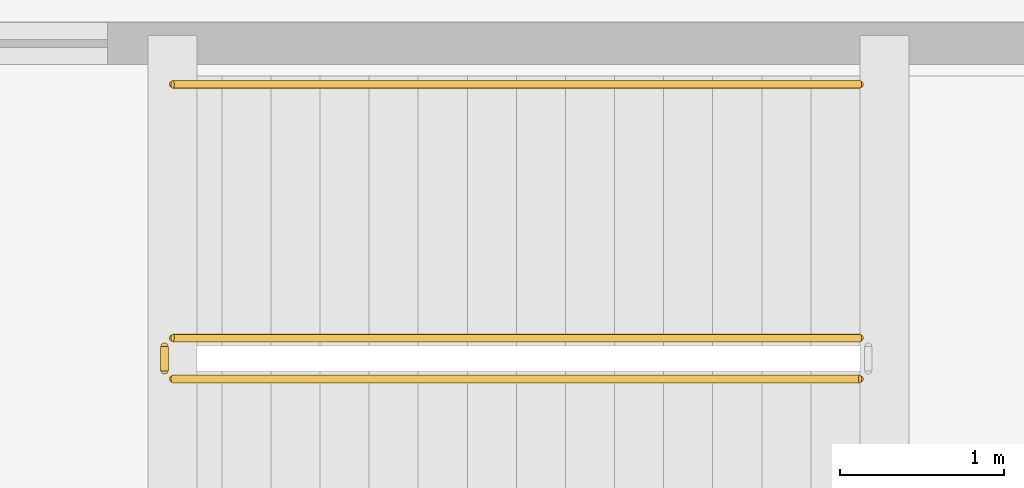
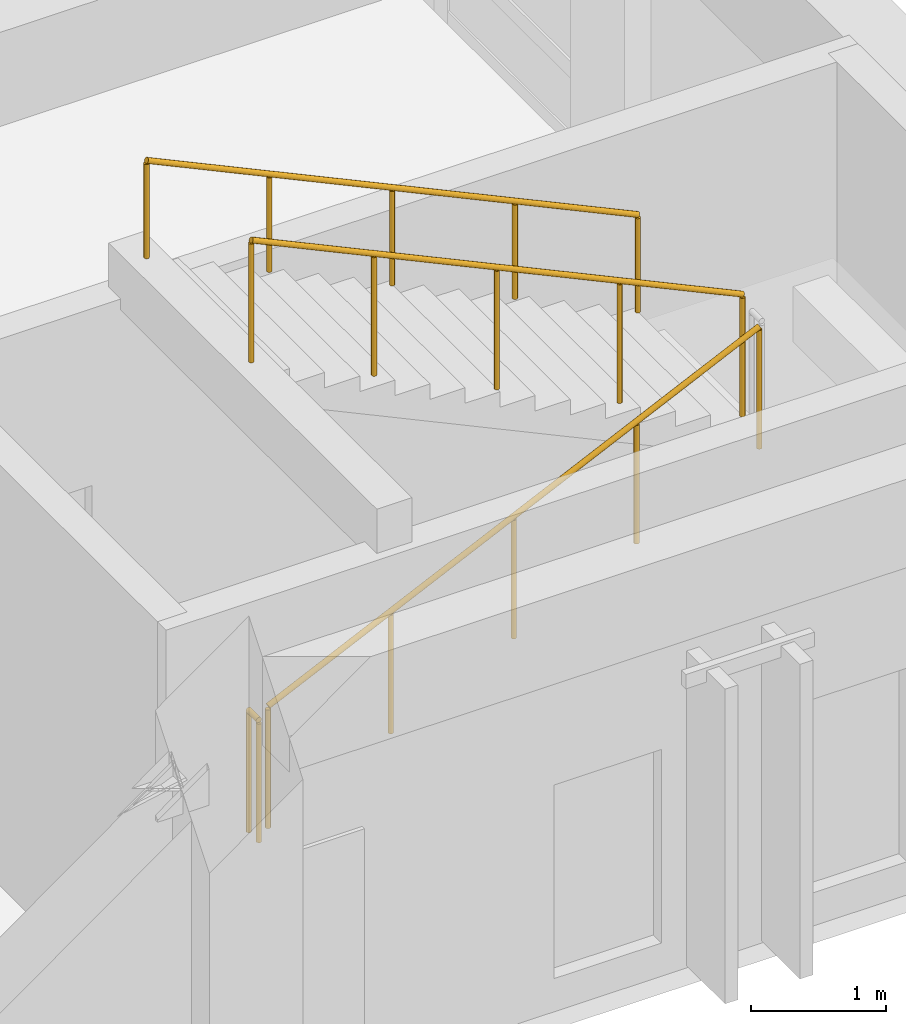
# One storey, part 105 of 132: 4 railings.
"""IFC4 building model written with IfcOpenShell, lengths in metres."""

from ifc_helpers import new_model, si_unit, direction, frame, origin, origin_2d, place, context, subcontext, project, spatial, circle, extrude, material, type_object, element, save


model = new_model("IFC4")

# Units and contexts
model_context = context("Model", 3, precision=1e-05, world=origin(), true_north=direction((0.0, 1.0)))
body_context = subcontext(model_context, "Body", "Model", "MODEL_VIEW")
ifc_project = project(units=[si_unit("LENGTHUNIT", "METRE"), si_unit("AREAUNIT", "SQUARE_METRE"), si_unit("VOLUMEUNIT", "CUBIC_METRE"), si_unit("PLANEANGLEUNIT", "RADIAN"), si_unit("MASSUNIT", "GRAM", prefix="KILO")], contexts=[model_context])

# Site, building, storey
site_placement = place(None, origin())
site = spatial("IfcSite", under=ifc_project, at=site_placement, CompositionType="ELEMENT")
building_placement = place(site_placement, origin())
building = spatial("IfcBuilding", under=site, at=building_placement, Name="Cumbredor Promenade Congress Hotel", CompositionType="ELEMENT")
storey_placement = place(building_placement, frame((0.0, 0.0, 7.56005859375)))
storey = spatial("IfcBuildingStorey", under=building, at=storey_placement, Name="L02", CompositionType="ELEMENT", Elevation=7.56005859375)

# Railings
ifc_material = material(Name="Brushed stainless steel", Category="steel")
railing_type_1 = type_object("IfcRailingType", Name="Interior Void & Stair Guardrail GR-1100", PredefinedType="GUARDRAIL", material=ifc_material)
railing_1_placement = place(storey_placement, frame((60.75, 11.199951171875, 0.139892578125)))
element("IfcRailing", 1, at=railing_1_placement, inside=storey, type_object=railing_type_1, Name="L02 ST-05 stair guard 1", PredefinedType="GUARDRAIL", context=body_context, shape_type="SweptSolid", body=[
    extrude(circle(Radius=0.02392578125, at=origin_2d()), frame((0.0, 0.0, 1.09619140625), z_axis=(0.906184485727, 0.0, 0.422882581609), x_axis=(0.0, 1.0, 0.0)), (0.0, 0.0, 1.0), 4.634765625),
    extrude(circle(Radius=0.02099609375, at=origin_2d()), origin(), (0.0, 0.0, 1.0), 1.072021484375),
    extrude(circle(Radius=0.02099609375, at=origin_2d()), frame((1.050048828125, 0.0, 0.489990234375)), (0.0, 0.0, 1.0), 1.072021484375),
    extrude(circle(Radius=0.02099609375, at=origin_2d()), frame((2.10009765625, 0.0, 0.97998046875)), (0.0, 0.0, 1.0), 1.072021484375),
    extrude(circle(Radius=0.02099609375, at=origin_2d()), frame((3.14990234375, 0.0, 1.469970703125)), (0.0, 0.0, 1.0), 1.072021484375),
    extrude(circle(Radius=0.02099609375, at=origin_2d()), frame((4.199951171875, 0.0, 1.9599609375)), (0.0, 0.0, 1.0), 1.072021484375),
])
railing_2_placement = place(storey_placement, frame((64.949951171875, 11.449951171875, 2.239990234375)))
element("IfcRailing", 2, at=railing_2_placement, inside=storey, type_object=railing_type_1, Name="L02 ST-05 stair guard 3", PredefinedType="GUARDRAIL", context=body_context, shape_type="SweptSolid", body=[
    extrude(circle(Radius=0.02392578125, at=origin_2d()), frame((0.0, 0.0, 1.09619140625), z_axis=(-0.906184485727, 0.0, 0.422882581609), x_axis=(0.0, -1.0, 0.0)), (0.0, 0.0, 1.0), 4.634765625),
    extrude(circle(Radius=0.02099609375, at=origin_2d()), origin(), (0.0, 0.0, 1.0), 1.072021484375),
    extrude(circle(Radius=0.02099609375, at=origin_2d()), frame((-1.050048828125, 0.0, 0.489990234375)), (0.0, 0.0, 1.0), 1.072021484375),
    extrude(circle(Radius=0.02099609375, at=origin_2d()), frame((-2.10009765625, 0.0, 0.97998046875)), (0.0, 0.0, 1.0), 1.072021484375),
    extrude(circle(Radius=0.02099609375, at=origin_2d()), frame((-3.14990234375, 0.0, 1.469970703125)), (0.0, 0.0, 1.0), 1.072021484375),
    extrude(circle(Radius=0.02099609375, at=origin_2d()), frame((-4.199951171875, 0.0, 1.9599609375)), (0.0, 0.0, 1.0), 1.072021484375),
])
railing_3_placement = place(storey_placement, frame((60.699951171875, 11.25, 0.0)))
element("IfcRailing", 3, at=railing_3_placement, inside=storey, type_object=railing_type_1, Name="L02 ST-05 stair guard 4", PredefinedType="GUARDRAIL", context=body_context, shape_type="SweptSolid", body=[
    extrude(circle(Radius=0.02392578125, at=origin_2d()), frame((0.0, 0.0, 1.09619140625), z_axis=(0.0, 1.0, 0.0), x_axis=(-1.0, 0.0, 0.0)), (0.0, 0.0, 1.0), 0.14990234375),
    extrude(circle(Radius=0.02099609375, at=origin_2d()), origin(), (0.0, 0.0, 1.0), 1.072021484375),
    extrude(circle(Radius=0.02099609375, at=origin_2d()), frame((0.0, 0.14990234375, 0.0)), (0.0, 0.0, 1.0), 1.072021484375),
])
railing_type_2 = type_object("IfcRailingType", Name="Stair Pitch Handrail HR-900", PredefinedType="HANDRAIL", material=ifc_material)
railing_4_placement = place(storey_placement, frame((64.949951171875, 13.0, 2.239990234375)))
element("IfcRailing", 4, at=railing_4_placement, inside=storey, type_object=railing_type_2, Name="L02 ST-05 stair handrail 2", PredefinedType="HANDRAIL", context=body_context, shape_type="SweptSolid", body=[
    extrude(circle(Radius=0.02392578125, at=origin_2d()), frame((0.0, 0.0, 0.8759765625), z_axis=(-0.906184485727, 0.0, 0.422882581609), x_axis=(0.0, -1.0, 0.0)), (0.0, 0.0, 1.0), 4.634765625),
    extrude(circle(Radius=0.02099609375, at=origin_2d()), origin(), (0.0, 0.0, 1.0), 0.851806640625),
    extrude(circle(Radius=0.02099609375, at=origin_2d()), frame((-1.050048828125, 0.0, 0.489990234375)), (0.0, 0.0, 1.0), 0.851806640625),
    extrude(circle(Radius=0.02099609375, at=origin_2d()), frame((-2.10009765625, 0.0, 0.97998046875)), (0.0, 0.0, 1.0), 0.851806640625),
    extrude(circle(Radius=0.02099609375, at=origin_2d()), frame((-3.14990234375, 0.0, 1.469970703125)), (0.0, 0.0, 1.0), 0.851806640625),
    extrude(circle(Radius=0.02099609375, at=origin_2d()), frame((-4.199951171875, 0.0, 1.9599609375)), (0.0, 0.0, 1.0), 0.851806640625),
])

save(model, "model.ifc")
